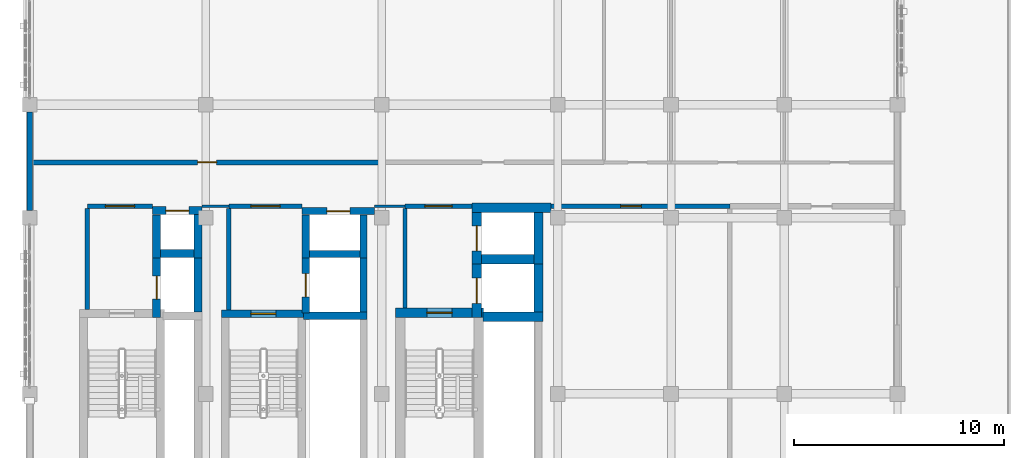
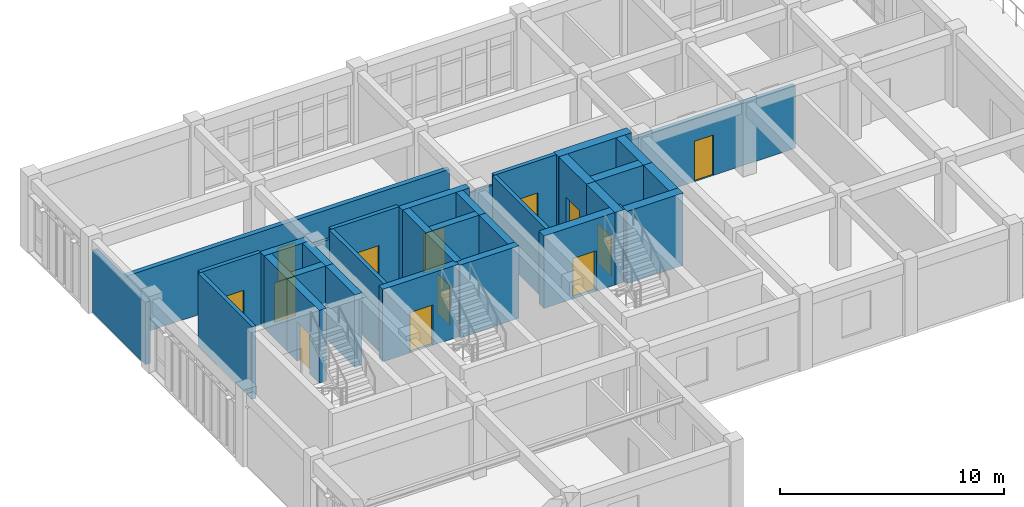
# One storey, part 19 of 22: 33 walls, 13 doors, 13 openings.
"""IFC4 building model written with IfcOpenShell, lengths in metres."""

from ifc_helpers import new_model, si_unit, direction, frame, frame_2d, origin, place, context, subcontext, project, spatial, rectangle, extrude, material, layer, layer_set, type_object, element, fill, save


model = new_model("IFC4")

# Units and contexts
model_context = context("Model", 3, precision=1e-05, world=origin(), true_north=direction((0.0, 1.0)))
body_context = subcontext(model_context, "Body", "Model", "MODEL_VIEW")
ifc_project = project(units=[si_unit("LENGTHUNIT", "METRE"), si_unit("AREAUNIT", "SQUARE_METRE"), si_unit("VOLUMEUNIT", "CUBIC_METRE"), si_unit("PLANEANGLEUNIT", "RADIAN"), si_unit("MASSUNIT", "GRAM", prefix="KILO")], contexts=[model_context])

# Site, building, storey
site_placement = place(None, origin())
site = spatial("IfcSite", under=ifc_project, at=site_placement, CompositionType="ELEMENT")
building_placement = place(site_placement, origin())
building = spatial("IfcBuilding", under=site, at=building_placement, Name="Krzemoval Escarpment Law Courts", CompositionType="ELEMENT")
storey_placement = place(building_placement, frame((0.0, 0.0, 29.39990234375)))
storey = spatial("IfcBuildingStorey", under=building, at=storey_placement, Name="L06", CompositionType="ELEMENT", Elevation=29.39990234375)

# Walls
ifc_material_1 = material(Name="Precast concrete C40/50", Category="concrete")
ifc_layer_1 = layer(ifc_material_1, 0.260009765625)
ifc_layer_set_1 = layer_set([ifc_layer_1], Name="Precast concrete C40/50")
wall_type_1 = type_object("IfcWallType", Name="WL-EXT-260", PredefinedType="SOLIDWALL", material=ifc_layer_set_1)
wall_1_placement = place(storey_placement, frame((126.0, 108.35009765625, 0.0), z_axis=(0.0, 0.0, 1.0), x_axis=(0.0, 1.0, 0.0)))
element("IfcWall", 1, at=wall_1_placement, inside=storey, type_object=wall_type_1, Name="Exterior Wall EW-L06-0443", PredefinedType="SOLIDWALL", context=body_context, shape_type="SweptSolid", body=[
    extrude(rectangle(XDim=4.699951171875, YDim=0.260009765625, at=frame_2d((2.35009765625, 0.0))), origin(), (0.0, 0.0, 1.0), 3.400146484375),
])
ifc_material_2 = material(Name="Light Internal Subdivision Partition", Category="gypsum")
ifc_layer_2 = layer(ifc_material_2, 0.114990234375)
ifc_layer_set_2 = layer_set([ifc_layer_2], Name="Light Internal Subdivision Partition")
wall_type_2 = type_object("IfcWallType", Name="WL-PRT-115", PredefinedType="PARTITIONING", material=ifc_layer_set_2)
wall_2_placement = place(storey_placement, frame((142.455078125, 108.550048828125, 0.0), z_axis=(0.0, 0.0, 1.0), x_axis=(1.0, 0.0, 0.0)))
element("IfcWall", 2, at=wall_2_placement, inside=storey, type_object=wall_type_2, Name="Interior Partition PW-L06-0674", PredefinedType="PARTITIONING", context=body_context, shape_type="SweptSolid", body=[
    extrude(rectangle(XDim=1.44482421875, YDim=0.114990234375, at=frame_2d((0.722412109375, 0.0))), origin(), (0.0, 0.0, 1.0), 3.400146484375),
])
ifc_material_3 = material(Name="Standard Metal-Stud Gypsum Partition", Category="gypsum")
ifc_layer_3 = layer(ifc_material_3, 0.125)
ifc_layer_set_3 = layer_set([ifc_layer_3], Name="Standard Metal-Stud Gypsum Partition")
wall_type_3 = type_object("IfcWallType", Name="WL-PRT-125", PredefinedType="PARTITIONING", material=ifc_layer_set_3)
wall_3_placement = place(storey_placement, frame((134.22998046875, 108.550048828125, 0.0), z_axis=(0.0, 0.0, 1.0), x_axis=(1.0, 0.0, 0.0)))
element("IfcWall", 3, at=wall_3_placement, inside=storey, type_object=wall_type_3, Name="Interior Partition PW-L06-0673", PredefinedType="PARTITIONING", context=body_context, shape_type="SweptSolid", body=[
    extrude(rectangle(XDim=1.27001953125, YDim=0.125, at=frame_2d((0.635009765625, 0.0))), origin(), (0.0, 0.0, 1.0), 3.400146484375),
])

# Wall, opening, door
ifc_material_4 = material(Name="Fire-Rated Corridor Partition Wall", Category="gypsum")
ifc_layer_4 = layer(ifc_material_4, 0.199951171875)
ifc_layer_set_4 = layer_set([ifc_layer_4], Name="Fire-Rated Corridor Partition Wall")
wall_type_4 = type_object("IfcWallType", Name="WL-PRT-200", PredefinedType="PARTITIONING", material=ifc_layer_set_4)
wall_4_placement = place(storey_placement, frame((128.75, 108.550048828125, 0.0), z_axis=(0.0, 0.0, 1.0), x_axis=(1.0, 0.0, 0.0)))
wall_4 = element("IfcWall", 4, at=wall_4_placement, inside=storey, type_object=wall_type_4, Name="Interior Partition PW-L06-0670", PredefinedType="PARTITIONING", context=body_context, shape_type="SweptSolid", body=[
    extrude(rectangle(XDim=3.1201171875, YDim=0.199951171875, at=frame_2d((1.56005859375, 0.0))), origin(), (0.0, 0.0, 1.0), 3.9501953125),
])
opening_1_placement = place(wall_4_placement, frame((0.860107421875, 0.0, 0.0)))
opening_1 = element("IfcOpeningElement", 5, at=opening_1_placement, cuts=wall_4, Name="Opening D-L06-0229", PredefinedType="OPENING", context=body_context, shape_type="SweptSolid", body=[
    extrude(rectangle(XDim=1.39990234375, YDim=2.199951171875, at=frame_2d((0.699951171875, 1.10009765625))), frame((0.0, 0.11498, 0.0), z_axis=(0.0, -1.0, 0.0), x_axis=(1.0, 0.0, 0.0)), (0.0, 0.0, 1.0), 0.22995),
])
ifc_material_5 = material(Name="Galvanised Steel S355", Category="steel")
door_type_1 = type_object("IfcDoorType", Name="DR-FFL-1400x2200", OperationType="SINGLE_SWING_LEFT", PredefinedType="DOOR", material=ifc_material_5)
door_1_placement = place(opening_1_placement, origin())
door_1 = element("IfcDoor", 6, at=door_1_placement, inside=storey, type_object=door_type_1, Name="Room Door D-L06-0229", OperationType="SINGLE_SWING_LEFT", OverallHeight=2.199951171875, OverallWidth=1.39990234375, PredefinedType="DOOR", context=body_context, shape_type="SweptSolid", body=[
    extrude(rectangle(XDim=1.39990234375, YDim=2.199951171875, at=frame_2d((0.699951171875, 1.10009765625))), frame((0.0, 0.02490234375, 0.0), z_axis=(0.0, -1.0, 0.0), x_axis=(1.0, 0.0, 0.0)), (0.0, 0.0, 1.0), 0.050048828125),
])
fill(opening_1, door_1)

wall_5_placement = place(storey_placement, frame((135.5, 108.550048828125, 0.0), z_axis=(0.0, 0.0, 1.0), x_axis=(1.0, 0.0, 0.0)))
wall_5 = element("IfcWall", 7, at=wall_5_placement, inside=storey, type_object=wall_type_4, Name="Interior Partition PW-L06-0671", PredefinedType="PARTITIONING", context=body_context, shape_type="SweptSolid", body=[
    extrude(rectangle(XDim=3.5, YDim=0.199951171875, at=frame_2d((1.75, 0.0))), origin(), (0.0, 0.0, 1.0), 3.9501953125),
])
opening_2_placement = place(wall_5_placement, frame((1.050048828125, 0.0, 0.0)))
opening_2 = element("IfcOpeningElement", 8, at=opening_2_placement, cuts=wall_5, Name="Opening D-L06-0230", PredefinedType="OPENING", context=body_context, shape_type="SweptSolid", body=[
    extrude(rectangle(XDim=1.39990234375, YDim=2.199951171875, at=frame_2d((0.699951171875, 1.10009765625))), frame((0.0, 0.11498, 0.0), z_axis=(0.0, -1.0, 0.0), x_axis=(1.0, 0.0, 0.0)), (0.0, 0.0, 1.0), 0.22995),
])
door_2_placement = place(opening_2_placement, origin())
door_2 = element("IfcDoor", 9, at=door_2_placement, inside=storey, type_object=door_type_1, Name="Room Door D-L06-0230", OperationType="SINGLE_SWING_LEFT", OverallHeight=2.199951171875, OverallWidth=1.39990234375, PredefinedType="DOOR", context=body_context, shape_type="SweptSolid", body=[
    extrude(rectangle(XDim=1.39990234375, YDim=2.199951171875, at=frame_2d((0.699951171875, 1.10009765625))), frame((0.0, 0.02490234375, 0.0), z_axis=(0.0, -1.0, 0.0), x_axis=(1.0, 0.0, 0.0)), (0.0, 0.0, 1.0), 0.050048828125),
])
fill(opening_2, door_2)

wall_6_placement = place(storey_placement, frame((143.89990234375, 108.550048828125, 0.0), z_axis=(0.0, 0.0, 1.0), x_axis=(1.0, 0.0, 0.0)))
wall_6 = element("IfcWall", 10, at=wall_6_placement, inside=storey, type_object=wall_type_4, Name="Interior Partition PW-L06-0672", PredefinedType="PARTITIONING", context=body_context, shape_type="SweptSolid", body=[
    extrude(rectangle(XDim=3.2001953125, YDim=0.199951171875, at=frame_2d((1.60009765625, 0.0))), origin(), (0.0, 0.0, 1.0), 3.9501953125),
])
opening_3_placement = place(wall_6_placement, frame((0.949951171875, 0.0, 0.0)))
opening_3 = element("IfcOpeningElement", 11, at=opening_3_placement, cuts=wall_6, Name="Opening D-L06-0231", PredefinedType="OPENING", context=body_context, shape_type="SweptSolid", body=[
    extrude(rectangle(XDim=1.300048828125, YDim=2.199951171875, at=frame_2d((0.64990234375, 1.10009765625))), frame((0.0, 0.11498, 0.0), z_axis=(0.0, -1.0, 0.0), x_axis=(1.0, 0.0, 0.0)), (0.0, 0.0, 1.0), 0.22995),
])
ifc_material_6 = material(Name="Galvanised Steel S355", Category="steel")
door_type_2 = type_object("IfcDoorType", Name="DR-STR-1300x2200", OperationType="SINGLE_SWING_LEFT", PredefinedType="DOOR", material=ifc_material_6)
door_3_placement = place(opening_3_placement, origin())
door_3 = element("IfcDoor", 12, at=door_3_placement, inside=storey, type_object=door_type_2, Name="Room Door D-L06-0231", OperationType="SINGLE_SWING_RIGHT", OverallHeight=2.199951171875, OverallWidth=1.300048828125, PredefinedType="DOOR", context=body_context, shape_type="SweptSolid", body=[
    extrude(rectangle(XDim=1.300048828125, YDim=2.199951171875, at=frame_2d((0.64990234375, 1.10009765625))), frame((0.0, 0.02490234375, 0.0), z_axis=(0.0, -1.0, 0.0), x_axis=(1.0, 0.0, 0.0)), (0.0, 0.0, 1.0), 0.050048828125),
])
fill(opening_3, door_3)

# Walls
wall_7_placement = place(storey_placement, frame((128.75, 103.632080078125, 0.0), z_axis=(0.0, 0.0, 1.0), x_axis=(0.0, 1.0, 0.0)))
element("IfcWall", 13, at=wall_7_placement, inside=storey, type_object=wall_type_4, Name="Interior Partition PW-L06-0682", PredefinedType="PARTITIONING", context=body_context, shape_type="SweptSolid", body=[
    extrude(rectangle(XDim=4.81591796875, YDim=0.199951171875, at=frame_2d((2.407958984375, 0.0))), origin(), (0.0, 0.0, 1.0), 3.9501953125),
])
wall_8_placement = place(storey_placement, frame((135.5, 103.60205078125, 0.0), z_axis=(0.0, 0.0, 1.0), x_axis=(0.0, 1.0, 0.0)))
element("IfcWall", 14, at=wall_8_placement, inside=storey, type_object=wall_type_4, Name="Interior Partition PW-L06-0683", PredefinedType="PARTITIONING", context=body_context, shape_type="SweptSolid", body=[
    extrude(rectangle(XDim=4.845947265625, YDim=0.199951171875, at=frame_2d((2.4228515625, 0.0))), origin(), (0.0, 0.0, 1.0), 3.9501953125),
])
wall_9_placement = place(storey_placement, frame((143.89990234375, 103.701904296875, 0.0), z_axis=(0.0, 0.0, 1.0), x_axis=(0.0, 1.0, 0.0)))
element("IfcWall", 15, at=wall_9_placement, inside=storey, type_object=wall_type_4, Name="Interior Partition PW-L06-0687", PredefinedType="PARTITIONING", context=body_context, shape_type="SweptSolid", body=[
    extrude(rectangle(XDim=4.74609375, YDim=0.199951171875, at=frame_2d((2.373046875, 0.0))), origin(), (0.0, 0.0, 1.0), 3.9501953125),
])

# Wall, opening, door
ifc_material_7 = material(Name="Acoustic Calcium-Silicate Block Wall", Category="masonry")
ifc_layer_5 = layer(ifc_material_7, 0.22998046875)
ifc_layer_set_5 = layer_set([ifc_layer_5], Name="Acoustic Calcium-Silicate Block Wall")
wall_type_5 = type_object("IfcWallType", Name="WL-PRT-230", PredefinedType="SOLIDWALL", material=ifc_layer_set_5)
wall_10_placement = place(storey_placement, frame((150.876953125, 108.550048828125, 0.0), z_axis=(0.0, 0.0, 1.0), x_axis=(1.0, 0.0, 0.0)))
wall_10 = element("IfcWall", 16, at=wall_10_placement, inside=storey, type_object=wall_type_5, Name="Interior Partition PW-L06-0675", PredefinedType="SOLIDWALL", context=body_context, shape_type="SweptSolid", body=[
    extrude(rectangle(XDim=8.52294921875, YDim=0.22998046875, at=frame_2d((4.261474609375, 0.0))), origin(), (0.0, 0.0, 1.0), 3.400146484375),
])
opening_4_placement = place(wall_10_placement, frame((3.31103515625, 0.0, 0.0)))
opening_4 = element("IfcOpeningElement", 17, at=opening_4_placement, cuts=wall_10, Name="Opening D-L06-0238", PredefinedType="OPENING", context=body_context, shape_type="SweptSolid", body=[
    extrude(rectangle(XDim=1.0, YDim=2.199951171875, at=frame_2d((0.5, 1.10009765625))), frame((0.0, 0.12999, 0.0), z_axis=(0.0, -1.0, 0.0), x_axis=(1.0, 0.0, 0.0)), (0.0, 0.0, 1.0), 0.25998),
])
ifc_material_8 = material(Name="Engineered Solid-Core Oak Acoustic Timber", Category="wood")
door_type_3 = type_object("IfcDoorType", Name="DR-INT-1000x2200", OperationType="SINGLE_SWING_LEFT", PredefinedType="DOOR", material=ifc_material_8)
door_4_placement = place(opening_4_placement, origin())
door_4 = element("IfcDoor", 18, at=door_4_placement, inside=storey, type_object=door_type_3, Name="Room Door D-L06-0238", OperationType="SINGLE_SWING_LEFT", OverallHeight=2.199951171875, OverallWidth=1.0, PredefinedType="DOOR", context=body_context, shape_type="SweptSolid", body=[
    extrude(rectangle(XDim=1.0, YDim=2.199951171875, at=frame_2d((0.5, 1.10009765625))), frame((0.0, 0.02490234375, 0.0), z_axis=(0.0, -1.0, 0.0), x_axis=(1.0, 0.0, 0.0)), (0.0, 0.0, 1.0), 0.050048828125),
])
fill(opening_4, door_4)

ifc_material_9 = material(Name="Acoustic Courtroom Partition Assembly", Category="gypsum")
ifc_layer_6 = layer(ifc_material_9, 0.239990234375)
ifc_layer_set_6 = layer_set([ifc_layer_6], Name="Acoustic Courtroom Partition Assembly")
wall_type_6 = type_object("IfcWallType", Name="WL-PRT-240", PredefinedType="PARTITIONING", material=ifc_layer_set_6)
wall_11_placement = place(storey_placement, frame((126.132080078125, 110.64990234375, 0.0), z_axis=(0.0, 0.0, 1.0), x_axis=(1.0, 0.0, 0.0)))
wall_11 = element("IfcWall", 19, at=wall_11_placement, inside=storey, type_object=wall_type_6, Name="Interior Partition PW-L06-0677", PredefinedType="PARTITIONING", context=body_context, shape_type="SweptSolid", body=[
    extrude(rectangle(XDim=16.66796875, YDim=0.239990234375, at=frame_2d((8.333984375, 0.0))), origin(), (0.0, 0.0, 1.0), 3.400146484375),
])
opening_5_placement = place(wall_11_placement, frame((7.884033203125, 0.0, 0.0)))
opening_5 = element("IfcOpeningElement", 20, at=opening_5_placement, cuts=wall_11, Name="Opening D-L06-0233", PredefinedType="OPENING", context=body_context, shape_type="SweptSolid", body=[
    extrude(rectangle(XDim=0.89990234375, YDim=2.10009765625, at=frame_2d((0.449951171875, 1.050048828125))), frame((0.0, 0.135, 0.0), z_axis=(0.0, -1.0, 0.0), x_axis=(1.0, 0.0, 0.0)), (0.0, 0.0, 1.0), 0.26999),
])
ifc_material_10 = material(Name="Engineered Solid-Core Oak Acoustic Timber", Category="wood")
door_type_4 = type_object("IfcDoorType", Name="DR-INT-900x2100", OperationType="SINGLE_SWING_LEFT", PredefinedType="DOOR", material=ifc_material_10)
door_5_placement = place(opening_5_placement, origin())
door_5 = element("IfcDoor", 21, at=door_5_placement, inside=storey, type_object=door_type_4, Name="Room Door D-L06-0233", OperationType="SINGLE_SWING_RIGHT", OverallHeight=2.10009765625, OverallWidth=0.89990234375, PredefinedType="DOOR", context=body_context, shape_type="SweptSolid", body=[
    extrude(rectangle(XDim=0.89990234375, YDim=2.10009765625, at=frame_2d((0.449951171875, 1.050048828125))), frame((0.0, 0.02490234375, 0.0), z_axis=(0.0, -1.0, 0.0), x_axis=(1.0, 0.0, 0.0)), (0.0, 0.0, 1.0), 0.050048828125),
])
fill(opening_5, door_5)

ifc_material_11 = material(Name="Concrete C40/50", Category="concrete")
ifc_layer_7 = layer(ifc_material_11, 0.35009765625)
ifc_layer_set_7 = layer_set([ifc_layer_7], Name="Concrete C40/50")
wall_type_7 = type_object("IfcWallType", Name="WL-SHW-350", PredefinedType="SHEAR", material=ifc_layer_set_7)
wall_12_placement = place(storey_placement, frame((135.14990234375, 103.425048828125, 0.0), z_axis=(0.0, 0.0, 1.0), x_axis=(1.0, 0.0, 0.0)))
wall_12 = element("IfcWall", 22, at=wall_12_placement, inside=storey, type_object=wall_type_7, Name="Core Stair Shear Wall SW-L06-0242", PredefinedType="SHEAR", context=body_context, shape_type="SweptSolid", body=[
    extrude(rectangle(XDim=4.0, YDim=0.35009765625, at=frame_2d((2.0, 0.0))), origin(), (0.0, 0.0, 1.0), 3.9501953125),
])
opening_6_placement = place(wall_12_placement, frame((1.39990234375, 0.0, 0.0)))
opening_6 = element("IfcOpeningElement", 23, at=opening_6_placement, cuts=wall_12, Name="Opening SD-ST2-L06", PredefinedType="OPENING", context=body_context, shape_type="SweptSolid", body=[
    extrude(rectangle(XDim=1.199951171875, YDim=2.199951171875, at=frame_2d((0.60009765625, 1.10009765625))), frame((0.0, 0.19005, 0.0), z_axis=(0.0, -1.0, 0.0), x_axis=(1.0, 0.0, 0.0)), (0.0, 0.0, 1.0), 0.3801),
])
ifc_material_12 = material(Name="Galvanised Steel S355", Category="steel")
door_type_5 = type_object("IfcDoorType", Name="DR-STR-1200x2200", OperationType="SINGLE_SWING_LEFT", PredefinedType="DOOR", material=ifc_material_12)
door_6_placement = place(opening_6_placement, origin())
door_6 = element("IfcDoor", 24, at=door_6_placement, inside=storey, type_object=door_type_5, Name="Stair Exit Door SD-ST2-L06", OperationType="SINGLE_SWING_RIGHT", OverallHeight=2.199951171875, OverallWidth=1.199951171875, PredefinedType="DOOR", context=body_context, shape_type="SweptSolid", body=[
    extrude(rectangle(XDim=1.199951171875, YDim=2.199951171875, at=frame_2d((0.60009765625, 1.10009765625))), frame((0.0, 0.02490234375, 0.0), z_axis=(0.0, -1.0, 0.0), x_axis=(1.0, 0.0, 0.0)), (0.0, 0.0, 1.0), 0.050048828125),
])
fill(opening_6, door_6)

# Walls
wall_13_placement = place(storey_placement, frame((139.068115234375, 103.324951171875, 0.0), z_axis=(0.0, 0.0, 1.0), x_axis=(1.0, 0.0, 0.0)))
element("IfcWall", 25, at=wall_13_placement, inside=storey, type_object=wall_type_7, Name="Lift Shaft Shear Wall SW-L06-0246", PredefinedType="SHEAR", context=body_context, shape_type="SweptSolid", body=[
    extrude(rectangle(XDim=3.031982421875, YDim=0.35009765625, at=frame_2d((1.51611328125, 0.0))), origin(), (0.0, 0.0, 1.0), 3.9501953125),
])
wall_14_placement = place(storey_placement, frame((139.0, 106.27490234375, 0.0), z_axis=(0.0, 0.0, 1.0), x_axis=(1.0, 0.0, 0.0)))
element("IfcWall", 26, at=wall_14_placement, inside=storey, type_object=wall_type_7, Name="Lift Shaft Shear Wall SW-L06-0247", PredefinedType="SHEAR", context=body_context, shape_type="SweptSolid", body=[
    extrude(rectangle(XDim=3.10009765625, YDim=0.35009765625, at=frame_2d((1.550048828125, 0.0))), origin(), (0.0, 0.0, 1.0), 3.9501953125),
])

# Wall, opening, door
wall_15_placement = place(storey_placement, frame((139.175048828125, 103.471923828125, 0.0), z_axis=(0.0, 0.0, 1.0), x_axis=(0.0, 1.0, 0.0)))
wall_15 = element("IfcWall", 27, at=wall_15_placement, inside=storey, type_object=wall_type_7, Name="Lift Shaft Shear Wall SW-L06-0248", PredefinedType="SHEAR", context=body_context, shape_type="SweptSolid", body=[
    extrude(rectangle(XDim=2.6259765625, YDim=0.35009765625, at=frame_2d((1.31298828125, 0.0))), origin(), (0.0, 0.0, 1.0), 3.9501953125),
])
opening_7_placement = place(wall_15_placement, frame((0.762939453125, 0.0, 0.0)))
opening_7 = element("IfcOpeningElement", 28, at=opening_7_placement, cuts=wall_15, Name="Opening LD-FL2-L06", PredefinedType="OPENING", context=body_context, shape_type="SweptSolid", body=[
    extrude(rectangle(XDim=1.10009765625, YDim=2.14990234375, at=frame_2d((0.550048828125, 1.074951171875))), frame((0.0, 0.19005, 0.0), z_axis=(0.0, -1.0, 0.0), x_axis=(1.0, 0.0, 0.0)), (0.0, 0.0, 1.0), 0.3801),
])
ifc_material_13 = material(Name="Stainless Steel Grade 304", Category="steel")
door_type_6 = type_object("IfcDoorType", Name="DR-LFT-1100x2150", OperationType="SINGLE_SWING_LEFT", PredefinedType="DOOR", material=ifc_material_13)
door_7_placement = place(opening_7_placement, origin())
door_7 = element("IfcDoor", 29, at=door_7_placement, inside=storey, type_object=door_type_6, Name="Lift Landing Door LD-FL2-L06", OperationType="DOUBLE_DOOR_SLIDING", OverallHeight=2.14990234375, OverallWidth=1.10009765625, PredefinedType="DOOR", context=body_context, shape_type="SweptSolid", body=[
    extrude(rectangle(XDim=1.10009765625, YDim=2.14990234375, at=frame_2d((0.550048828125, 1.074951171875))), frame((0.0, 0.02490234375, 0.0), z_axis=(0.0, -1.0, 0.0), x_axis=(1.0, 0.0, 0.0)), (0.0, 0.0, 1.0), 0.050048828125),
])
fill(opening_7, door_7)

# Wall
wall_16_placement = place(storey_placement, frame((141.925048828125, 103.501953125, 0.0), z_axis=(0.0, 0.0, 1.0), x_axis=(0.0, 1.0, 0.0)))
element("IfcWall", 30, at=wall_16_placement, inside=storey, type_object=wall_type_7, Name="Lift Shaft Shear Wall SW-L06-0249", PredefinedType="SHEAR", context=body_context, shape_type="SweptSolid", body=[
    extrude(rectangle(XDim=2.595947265625, YDim=0.35009765625, at=frame_2d((1.2978515625, 0.0))), origin(), (0.0, 0.0, 1.0), 3.9501953125),
])

# Wall, opening, door
wall_17_placement = place(storey_placement, frame((139.0, 108.324951171875, 0.0), z_axis=(0.0, 0.0, 1.0), x_axis=(1.0, 0.0, 0.0)))
wall_17 = element("IfcWall", 31, at=wall_17_placement, inside=storey, type_object=wall_type_7, Name="Lift Shaft Shear Wall SW-L06-0250", PredefinedType="SHEAR", context=body_context, shape_type="SweptSolid", body=[
    extrude(rectangle(XDim=3.455078125, YDim=0.35009765625, at=frame_2d((1.7275390625, 0.0))), origin(), (0.0, 0.0, 1.0), 3.9501953125),
])
opening_8_placement = place(wall_17_placement, frame((1.177978515625, 0.0, 0.0)))
opening_8 = element("IfcOpeningElement", 32, at=opening_8_placement, cuts=wall_17, Name="Opening LD-JL2-L06", PredefinedType="OPENING", context=body_context, shape_type="SweptSolid", body=[
    extrude(rectangle(XDim=1.10009765625, YDim=2.14990234375, at=frame_2d((0.550048828125, 1.074951171875))), frame((0.0, 0.19005, 0.0), z_axis=(0.0, -1.0, 0.0), x_axis=(1.0, 0.0, 0.0)), (0.0, 0.0, 1.0), 0.3801),
])
door_8_placement = place(opening_8_placement, origin())
door_8 = element("IfcDoor", 33, at=door_8_placement, inside=storey, type_object=door_type_6, Name="Lift Landing Door LD-JL2-L06", OperationType="DOUBLE_DOOR_SLIDING", OverallHeight=2.14990234375, OverallWidth=1.10009765625, PredefinedType="DOOR", context=body_context, shape_type="SweptSolid", body=[
    extrude(rectangle(XDim=1.10009765625, YDim=2.14990234375, at=frame_2d((0.550048828125, 1.074951171875))), frame((0.0, 0.02490234375, 0.0), z_axis=(0.0, -1.0, 0.0), x_axis=(1.0, 0.0, 0.0)), (0.0, 0.0, 1.0), 0.050048828125),
])
fill(opening_8, door_8)

# Walls
for number, where, z_axis, x_axis, name in (
    (34, (139.175048828125, 106.093017578125, 0.0), (0.0, 0.0, 1.0), (0.0, 1.0, 0.0), "Lift Shaft Shear Wall SW-L06-0251"),
    (35, (141.925048828125, 106.093017578125, 0.0), (0.0, 0.0, 1.0), (0.0, 1.0, 0.0), "Lift Shaft Shear Wall SW-L06-0252"),
):
    element("IfcWall", number, at=place(storey_placement, frame(where, z_axis=z_axis, x_axis=x_axis)), inside=storey, type_object=wall_type_7, Name=name, PredefinedType="SHEAR", context=body_context, shape_type="SweptSolid", body=[
        extrude(rectangle(XDim=2.054931640625, YDim=0.35009765625, at=frame_2d((1.02734375, 0.0))), origin(), (0.0, 0.0, 1.0), 3.9501953125),
    ])
ifc_material_14 = material(Name="Concrete C40/50", Category="concrete")
ifc_layer_8 = layer(ifc_material_14, 0.3798828125)
ifc_layer_set_8 = layer_set([ifc_layer_8], Name="Concrete C40/50")
wall_type_8 = type_object("IfcWallType", Name="WL-SHW-380", PredefinedType="SHEAR", material=ifc_layer_set_8)
wall_18_placement = place(storey_placement, frame((131.8701171875, 106.2900390625, 0.0), z_axis=(0.0, 0.0, 1.0), x_axis=(1.0, 0.0, 0.0)))
element("IfcWall", 36, at=wall_18_placement, inside=storey, type_object=wall_type_8, Name="Lift Shaft Shear Wall SW-L06-0097", PredefinedType="SHEAR", context=body_context, shape_type="SweptSolid", body=[
    extrude(rectangle(XDim=2.35986328125, YDim=0.3798828125, at=frame_2d((1.179931640625, 0.0))), origin(), (0.0, 0.0, 1.0), 3.9501953125),
])

# Wall, opening, door
wall_19_placement = place(storey_placement, frame((132.06005859375, 103.242919921875, 0.0), z_axis=(0.0, 0.0, 1.0), x_axis=(0.0, 1.0, 0.0)))
wall_19 = element("IfcWall", 37, at=wall_19_placement, inside=storey, type_object=wall_type_8, Name="Lift Shaft Shear Wall SW-L06-0098", PredefinedType="SHEAR", context=body_context, shape_type="SweptSolid", body=[
    extrude(rectangle(XDim=2.85498046875, YDim=0.3798828125, at=frame_2d((1.427490234375, 0.0))), origin(), (0.0, 0.0, 1.0), 3.9501953125),
])
opening_9_placement = place(wall_19_placement, frame((0.8779296875, 0.0, 0.0)))
opening_9 = element("IfcOpeningElement", 38, at=opening_9_placement, cuts=wall_19, Name="Opening LD-FL1-L06", PredefinedType="OPENING", context=body_context, shape_type="SweptSolid", body=[
    extrude(rectangle(XDim=1.10009765625, YDim=2.14990234375, at=frame_2d((0.550048828125, 1.074951171875))), frame((0.0, 0.20494, 0.0), z_axis=(0.0, -1.0, 0.0), x_axis=(1.0, 0.0, 0.0)), (0.0, 0.0, 1.0), 0.40988),
])
door_9_placement = place(opening_9_placement, origin())
door_9 = element("IfcDoor", 39, at=door_9_placement, inside=storey, type_object=door_type_6, Name="Lift Landing Door LD-FL1-L06", OperationType="DOUBLE_DOOR_SLIDING", OverallHeight=2.14990234375, OverallWidth=1.10009765625, PredefinedType="DOOR", context=body_context, shape_type="SweptSolid", body=[
    extrude(rectangle(XDim=1.10009765625, YDim=2.14990234375, at=frame_2d((0.550048828125, 1.074951171875))), frame((0.0, 0.02490234375, 0.0), z_axis=(0.0, -1.0, 0.0), x_axis=(1.0, 0.0, 0.0)), (0.0, 0.0, 1.0), 0.050048828125),
])
fill(opening_9, door_9)

# Wall
wall_20_placement = place(storey_placement, frame((134.0400390625, 103.501953125, 0.0), z_axis=(0.0, 0.0, 1.0), x_axis=(0.0, 1.0, 0.0)))
element("IfcWall", 40, at=wall_20_placement, inside=storey, type_object=wall_type_8, Name="Lift Shaft Shear Wall SW-L06-0099", PredefinedType="SHEAR", context=body_context, shape_type="SweptSolid", body=[
    extrude(rectangle(XDim=2.595947265625, YDim=0.3798828125, at=frame_2d((1.2978515625, 0.0))), origin(), (0.0, 0.0, 1.0), 3.9501953125),
])

# Wall, opening, door
wall_21_placement = place(storey_placement, frame((131.8701171875, 108.340087890625, 0.0), z_axis=(0.0, 0.0, 1.0), x_axis=(1.0, 0.0, 0.0)))
wall_21 = element("IfcWall", 41, at=wall_21_placement, inside=storey, type_object=wall_type_8, Name="Lift Shaft Shear Wall SW-L06-0100", PredefinedType="SHEAR", context=body_context, shape_type="SweptSolid", body=[
    extrude(rectangle(XDim=2.35986328125, YDim=0.3798828125, at=frame_2d((1.179931640625, 0.0))), origin(), (0.0, 0.0, 1.0), 3.9501953125),
])
opening_10_placement = place(wall_21_placement, frame((0.6298828125, 0.0, 0.0)))
opening_10 = element("IfcOpeningElement", 42, at=opening_10_placement, cuts=wall_21, Name="Opening LD-JL1-L06", PredefinedType="OPENING", context=body_context, shape_type="SweptSolid", body=[
    extrude(rectangle(XDim=1.10009765625, YDim=2.14990234375, at=frame_2d((0.550048828125, 1.074951171875))), frame((0.0, 0.20494, 0.0), z_axis=(0.0, -1.0, 0.0), x_axis=(1.0, 0.0, 0.0)), (0.0, 0.0, 1.0), 0.40988),
])
door_10_placement = place(opening_10_placement, origin())
door_10 = element("IfcDoor", 43, at=door_10_placement, inside=storey, type_object=door_type_6, Name="Lift Landing Door LD-JL1-L06", OperationType="DOUBLE_DOOR_SLIDING", OverallHeight=2.14990234375, OverallWidth=1.10009765625, PredefinedType="DOOR", context=body_context, shape_type="SweptSolid", body=[
    extrude(rectangle(XDim=1.10009765625, YDim=2.14990234375, at=frame_2d((0.550048828125, 1.074951171875))), frame((0.0, 0.02490234375, 0.0), z_axis=(0.0, -1.0, 0.0), x_axis=(1.0, 0.0, 0.0)), (0.0, 0.0, 1.0), 0.050048828125),
])
fill(opening_10, door_10)

# Walls
wall_22_placement = place(storey_placement, frame((132.06005859375, 106.093017578125, 0.0), z_axis=(0.0, 0.0, 1.0), x_axis=(0.0, 1.0, 0.0)))
element("IfcWall", 44, at=wall_22_placement, inside=storey, type_object=wall_type_8, Name="Lift Shaft Shear Wall SW-L06-0101", PredefinedType="SHEAR", context=body_context, shape_type="SweptSolid", body=[
    extrude(rectangle(XDim=2.054931640625, YDim=0.3798828125, at=frame_2d((1.02734375, 0.0))), origin(), (0.0, 0.0, 1.0), 3.9501953125),
])
wall_23_placement = place(storey_placement, frame((134.0400390625, 106.093017578125, 0.0), z_axis=(0.0, 0.0, 1.0), x_axis=(0.0, 1.0, 0.0)))
element("IfcWall", 45, at=wall_23_placement, inside=storey, type_object=wall_type_8, Name="Lift Shaft Shear Wall SW-L06-0102", PredefinedType="SHEAR", context=body_context, shape_type="SweptSolid", body=[
    extrude(rectangle(XDim=2.070068359375, YDim=0.3798828125, at=frame_2d((1.03515625, 0.0))), origin(), (0.0, 0.0, 1.0), 3.9501953125),
])

# Wall, opening, door
ifc_material_15 = material(Name="Concrete C40/50", Category="concrete")
ifc_layer_9 = layer(ifc_material_15, 0.449951171875)
ifc_layer_set_9 = layer_set([ifc_layer_9], Name="Concrete C40/50")
wall_type_9 = type_object("IfcWallType", Name="WL-SHW-450", PredefinedType="SHEAR", material=ifc_layer_set_9)
wall_24_placement = place(storey_placement, frame((143.449951171875, 103.47509765625, 0.0), z_axis=(0.0, 0.0, 1.0), x_axis=(1.0, 0.0, 0.0)))
wall_24 = element("IfcWall", 46, at=wall_24_placement, inside=storey, type_object=wall_type_9, Name="Core Stair Shear Wall SW-L06-0392", PredefinedType="SHEAR", context=body_context, shape_type="SweptSolid", body=[
    extrude(rectangle(XDim=4.199951171875, YDim=0.449951171875, at=frame_2d((2.10009765625, 0.0))), origin(), (0.0, 0.0, 1.0), 3.9501953125),
])
opening_11_placement = place(wall_24_placement, frame((1.5, 0.0, 0.0)))
opening_11 = element("IfcOpeningElement", 47, at=opening_11_placement, cuts=wall_24, Name="Opening SD-ST3-L06", PredefinedType="OPENING", context=body_context, shape_type="SweptSolid", body=[
    extrude(rectangle(XDim=1.199951171875, YDim=2.199951171875, at=frame_2d((0.60009765625, 1.10009765625))), frame((0.0, 0.23998, 0.0), z_axis=(0.0, -1.0, 0.0), x_axis=(1.0, 0.0, 0.0)), (0.0, 0.0, 1.0), 0.47995),
])
door_11_placement = place(opening_11_placement, origin())
door_11 = element("IfcDoor", 48, at=door_11_placement, inside=storey, type_object=door_type_5, Name="Stair Exit Door SD-ST3-L06", OperationType="SINGLE_SWING_LEFT", OverallHeight=2.199951171875, OverallWidth=1.199951171875, PredefinedType="DOOR", context=body_context, shape_type="SweptSolid", body=[
    extrude(rectangle(XDim=1.199951171875, YDim=2.199951171875, at=frame_2d((0.60009765625, 1.10009765625))), frame((0.0, 0.02490234375, 0.0), z_axis=(0.0, -1.0, 0.0), x_axis=(1.0, 0.0, 0.0)), (0.0, 0.0, 1.0), 0.050048828125),
])
fill(opening_11, door_11)

# Walls
wall_25_placement = place(storey_placement, frame((147.617919921875, 103.27490234375, 0.0), z_axis=(0.0, 0.0, 1.0), x_axis=(1.0, 0.0, 0.0)))
element("IfcWall", 49, at=wall_25_placement, inside=storey, type_object=wall_type_9, Name="Lift Shaft Shear Wall SW-L06-0396", PredefinedType="SHEAR", context=body_context, shape_type="SweptSolid", body=[
    extrude(rectangle(XDim=2.882080078125, YDim=0.449951171875, at=frame_2d((1.44091796875, 0.0))), origin(), (0.0, 0.0, 1.0), 3.9501953125),
])
wall_26_placement = place(storey_placement, frame((147.10009765625, 106.02490234375, 0.0), z_axis=(0.0, 0.0, 1.0), x_axis=(1.0, 0.0, 0.0)))
element("IfcWall", 50, at=wall_26_placement, inside=storey, type_object=wall_type_9, Name="Lift Shaft Shear Wall SW-L06-0397", PredefinedType="SHEAR", context=body_context, shape_type="SweptSolid", body=[
    extrude(rectangle(XDim=3.39990234375, YDim=0.449951171875, at=frame_2d((1.699951171875, 0.0))), origin(), (0.0, 0.0, 1.0), 3.9501953125),
])

# Wall, opening, door
wall_27_placement = place(storey_placement, frame((147.324951171875, 103.242919921875, 0.0), z_axis=(0.0, 0.0, 1.0), x_axis=(0.0, 1.0, 0.0)))
wall_27 = element("IfcWall", 51, at=wall_27_placement, inside=storey, type_object=wall_type_9, Name="Lift Shaft Shear Wall SW-L06-0398", PredefinedType="SHEAR", context=body_context, shape_type="SweptSolid", body=[
    extrude(rectangle(XDim=2.55517578125, YDim=0.449951171875, at=frame_2d((1.277587890625, 0.0))), origin(), (0.0, 0.0, 1.0), 3.9501953125),
])
opening_12_placement = place(wall_27_placement, frame((0.677978515625, 0.0, 0.0)))
opening_12 = element("IfcOpeningElement", 52, at=opening_12_placement, cuts=wall_27, Name="Opening LD-PL1-L06", PredefinedType="OPENING", context=body_context, shape_type="SweptSolid", body=[
    extrude(rectangle(XDim=1.199951171875, YDim=2.14990234375, at=frame_2d((0.60009765625, 1.074951171875))), frame((0.0, 0.23998, 0.0), z_axis=(0.0, -1.0, 0.0), x_axis=(1.0, 0.0, 0.0)), (0.0, 0.0, 1.0), 0.47995),
])
ifc_material_16 = material(Name="Engineered Solid-Core Oak Acoustic Timber", Category="wood")
door_type_7 = type_object("IfcDoorType", Name="DR-LFT-1200x2150", OperationType="SINGLE_SWING_LEFT", PredefinedType="DOOR", material=ifc_material_16)
door_12_placement = place(opening_12_placement, origin())
door_12 = element("IfcDoor", 53, at=door_12_placement, inside=storey, type_object=door_type_7, Name="Lift Landing Door LD-PL1-L06", OperationType="DOUBLE_DOOR_SLIDING", OverallHeight=2.14990234375, OverallWidth=1.199951171875, PredefinedType="DOOR", context=body_context, shape_type="SweptSolid", body=[
    extrude(rectangle(XDim=1.199951171875, YDim=2.14990234375, at=frame_2d((0.60009765625, 1.074951171875))), frame((0.0, 0.02490234375, 0.0), z_axis=(0.0, -1.0, 0.0), x_axis=(1.0, 0.0, 0.0)), (0.0, 0.0, 1.0), 0.050048828125),
])
fill(opening_12, door_12)

# Walls
wall_28_placement = place(storey_placement, frame((150.27490234375, 103.501953125, 0.0), z_axis=(0.0, 0.0, 1.0), x_axis=(0.0, 1.0, 0.0)))
element("IfcWall", 54, at=wall_28_placement, inside=storey, type_object=wall_type_9, Name="Lift Shaft Shear Wall SW-L06-0399", PredefinedType="SHEAR", context=body_context, shape_type="SweptSolid", body=[
    extrude(rectangle(XDim=2.296142578125, YDim=0.449951171875, at=frame_2d((1.14794921875, 0.0))), origin(), (0.0, 0.0, 1.0), 3.9501953125),
])
wall_29_placement = place(storey_placement, frame((147.10009765625, 108.47509765625, 0.0), z_axis=(0.0, 0.0, 1.0), x_axis=(1.0, 0.0, 0.0)))
element("IfcWall", 55, at=wall_29_placement, inside=storey, type_object=wall_type_9, Name="Lift Shaft Shear Wall SW-L06-0400", PredefinedType="SHEAR", context=body_context, shape_type="SweptSolid", body=[
    extrude(rectangle(XDim=3.77685546875, YDim=0.449951171875, at=frame_2d((1.888427734375, 0.0))), origin(), (0.0, 0.0, 1.0), 3.9501953125),
])

# Wall, opening, door
wall_30_placement = place(storey_placement, frame((147.324951171875, 105.79296875, 0.0), z_axis=(0.0, 0.0, 1.0), x_axis=(0.0, 1.0, 0.0)))
wall_30 = element("IfcWall", 56, at=wall_30_placement, inside=storey, type_object=wall_type_9, Name="Lift Shaft Shear Wall SW-L06-0401", PredefinedType="SHEAR", context=body_context, shape_type="SweptSolid", body=[
    extrude(rectangle(XDim=2.455078125, YDim=0.449951171875, at=frame_2d((1.2275390625, 0.0))), origin(), (0.0, 0.0, 1.0), 3.9501953125),
])
opening_13_placement = place(wall_30_placement, frame((0.626953125, 0.0, 0.0)))
opening_13 = element("IfcOpeningElement", 57, at=opening_13_placement, cuts=wall_30, Name="Opening LD-PL2-L06", PredefinedType="OPENING", context=body_context, shape_type="SweptSolid", body=[
    extrude(rectangle(XDim=1.199951171875, YDim=2.14990234375, at=frame_2d((0.60009765625, 1.074951171875))), frame((0.0, 0.23998, 0.0), z_axis=(0.0, -1.0, 0.0), x_axis=(1.0, 0.0, 0.0)), (0.0, 0.0, 1.0), 0.47995),
])
door_13_placement = place(opening_13_placement, origin())
door_13 = element("IfcDoor", 58, at=door_13_placement, inside=storey, type_object=door_type_7, Name="Lift Landing Door LD-PL2-L06", OperationType="DOUBLE_DOOR_SLIDING", OverallHeight=2.14990234375, OverallWidth=1.199951171875, PredefinedType="DOOR", context=body_context, shape_type="SweptSolid", body=[
    extrude(rectangle(XDim=1.199951171875, YDim=2.14990234375, at=frame_2d((0.60009765625, 1.074951171875))), frame((0.0, 0.02490234375, 0.0), z_axis=(0.0, -1.0, 0.0), x_axis=(1.0, 0.0, 0.0)), (0.0, 0.0, 1.0), 0.050048828125),
])
fill(opening_13, door_13)

# Wall
wall_31_placement = place(storey_placement, frame((150.27490234375, 105.79296875, 0.0), z_axis=(0.0, 0.0, 1.0), x_axis=(0.0, 1.0, 0.0)))
element("IfcWall", 59, at=wall_31_placement, inside=storey, type_object=wall_type_9, Name="Lift Shaft Shear Wall SW-L06-0402", PredefinedType="SHEAR", context=body_context, shape_type="SweptSolid", body=[
    extrude(rectangle(XDim=2.455078125, YDim=0.449951171875, at=frame_2d((1.2275390625, 0.0))), origin(), (0.0, 0.0, 1.0), 3.9501953125),
])

save(model, "model.ifc")
